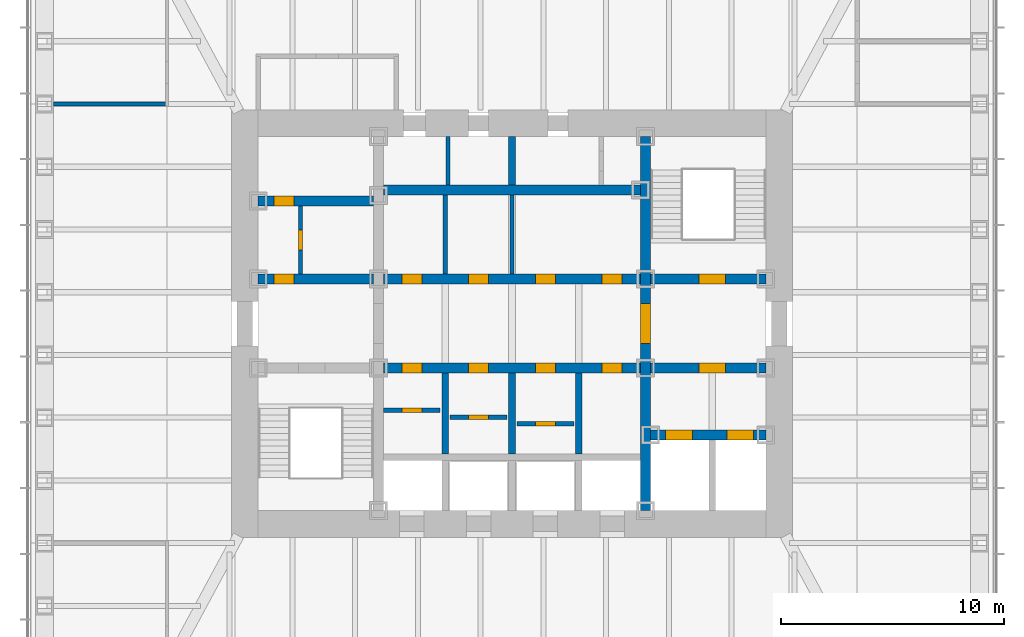
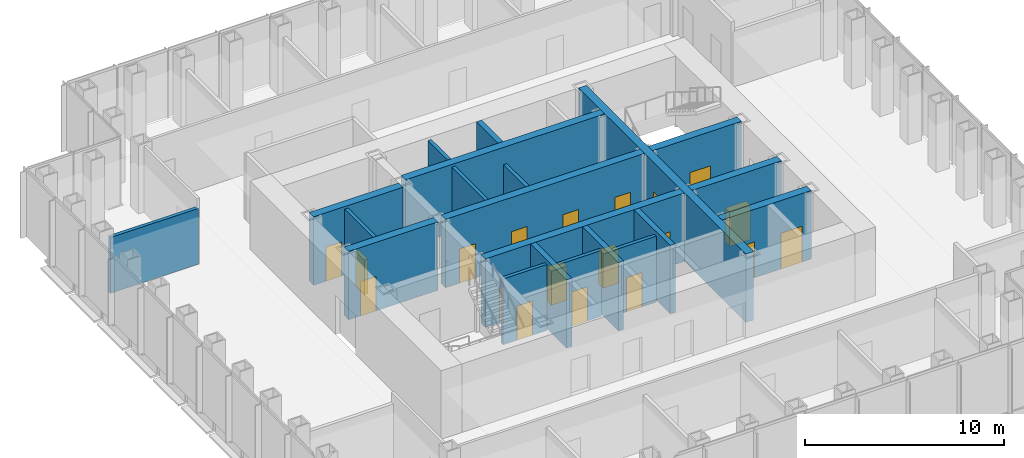
# One storey, part 9 of 16: 21 walls, 19 doors, 19 openings.
"""IFC4 building model written with IfcOpenShell, lengths in metres."""

import ifcopenshell
import ifcopenshell.guid

model = None  # the IFC model being written
_history = None  # IfcOwnerHistory: only IFC2X3 demands one
_inside = {}  # id of a spatial element -> (the spatial element, [elements in it])
_under = {}  # id of a project, library or spatial element -> (it, [spatial elements below it])
_declared = {}  # id of a project -> (the project, [libraries it declares])
_typed = {}  # id of a type object -> (the type object, [elements of that type])
_made_of = {}  # id of a material, layer set ... -> (it, [elements and type objects made of it])


def new_model(schema):
    """Start an empty IFC model of exactly this schema.

    Asked for "IFC4X3", IfcOpenShell would pick the latest addendum, in which some entities
    have other attributes; the version numbers below select the first issue.
    IFC2X3 requires an IfcOwnerHistory on every rooted entity: one is made here for all.
    """
    global model, _history
    if schema == "IFC4X3":
        model = ifcopenshell.file(schema_version=(4, 3, 0, 0))
    else:
        model = ifcopenshell.file(schema=schema)
    _inside.clear()
    _under.clear()
    _declared.clear()
    _typed.clear()
    _made_of.clear()
    _history = None
    if model.schema == "IFC2X3":
        org = make("IfcOrganization", Name="unknown")
        user = make(
            "IfcPersonAndOrganization",
            ThePerson=make("IfcPerson", FamilyName="unknown"),
            TheOrganization=org,
        )
        app = make(
            "IfcApplication",
            ApplicationDeveloper=org,
            Version="unknown",
            ApplicationFullName="unknown",
            ApplicationIdentifier="unknown",
        )
        _history = make(
            "IfcOwnerHistory",
            OwningUser=user,
            OwningApplication=app,
            ChangeAction="ADDED",
            CreationDate=0,
        )
    return model


def make(cls, **values):
    """One entity of the class cls with the attributes given. An attribute that is None is left unset."""
    return model.create_entity(
        cls, **{name: value for name, value in values.items() if value is not None}
    )


def rooted(cls, **values):
    """An entity with a GlobalId (a new one), such as an element, a storey or a relation."""
    return make(cls, GlobalId=ifcopenshell.guid.new(), OwnerHistory=_history, **values)


def si_unit(unit_type, name, prefix=None):
    """IfcSIUnit, for example si_unit("LENGTHUNIT", "METRE", prefix="MILLI")."""
    return make("IfcSIUnit", UnitType=unit_type, Prefix=prefix, Name=name)


def assignment(units):
    """IfcUnitAssignment: the units of a project."""
    return None if units is None else make("IfcUnitAssignment", Units=units)


def point(xyz):
    """IfcCartesianPoint."""
    return None if xyz is None else make("IfcCartesianPoint", Coordinates=xyz)


def direction(xyz):
    """IfcDirection."""
    return None if xyz is None else make("IfcDirection", DirectionRatios=xyz)


def frame(location, z_axis=None, x_axis=None):
    """IfcAxis2Placement3D, a coordinate frame: its origin and axes. An axis left out is left unset."""
    return make(
        "IfcAxis2Placement3D",
        Location=point(location),
        Axis=direction(z_axis),
        RefDirection=direction(x_axis),
    )


def frame_2d(location, x_axis=None):
    """IfcAxis2Placement2D, a coordinate frame in the plane: its origin and x axis."""
    return make(
        "IfcAxis2Placement2D", Location=point(location), RefDirection=direction(x_axis)
    )


def origin():
    """The frame at (0, 0, 0) with its axes left unset."""
    return frame((0.0, 0.0, 0.0))


def place(relative_to, where):
    """IfcLocalPlacement: puts the frame where relative to a parent placement (None: the world)."""
    return make(
        "IfcLocalPlacement", PlacementRelTo=relative_to, RelativePlacement=where
    )


def context(
    kind, dimensions, precision=None, world=None, true_north=None, identifier=None
):
    """IfcGeometricRepresentationContext, for example the 3D "Model" context."""
    return make(
        "IfcGeometricRepresentationContext",
        ContextIdentifier=identifier,
        ContextType=kind,
        CoordinateSpaceDimension=dimensions,
        Precision=precision,
        WorldCoordinateSystem=world,
        TrueNorth=true_north,
    )


def subcontext(parent, identifier, kind, view, scale=None):
    """IfcGeometricRepresentationSubContext, for example "Body" below "Model"."""
    return make(
        "IfcGeometricRepresentationSubContext",
        ContextIdentifier=identifier,
        ContextType=kind,
        ParentContext=parent,
        TargetScale=scale,
        TargetView=view,
    )


def project(units=None, contexts=None):
    """IfcProject with its units and contexts."""
    return rooted(
        "IfcProject",
        Name="project",
        RepresentationContexts=contexts,
        UnitsInContext=assignment(units),
    )


def spatial(cls, under=None, at=None, **own):
    """A site, building, storey or space (cls), placed at a placement, below another one or the project."""
    s = rooted(cls, ObjectPlacement=at, **own)
    if under is not None:
        _under.setdefault(under.id(), (under, []))[1].append(s)
    return s


def profile(cls, at=None, kind="AREA", **sizes):
    """A parametric profile (cls). Its sizes go by their IFC names, for example OverallWidth=200.0."""
    return make(cls, ProfileType=kind, Position=at, **sizes)


def rectangle(**sizes):
    """IfcRectangleProfileDef."""
    return profile("IfcRectangleProfileDef", **sizes)


def extrude(swept, where, along, depth):
    """IfcExtrudedAreaSolid: the profile swept, set in the frame where, extruded along a direction by depth."""
    return make(
        "IfcExtrudedAreaSolid",
        SweptArea=swept,
        Position=where,
        ExtrudedDirection=direction(along),
        Depth=depth,
    )


def shape(context_of_items, identifier, shape_type, items):
    """IfcShapeRepresentation: the items that make up one representation, for example the "Body"."""
    return make(
        "IfcShapeRepresentation",
        ContextOfItems=context_of_items,
        RepresentationIdentifier=identifier,
        RepresentationType=shape_type,
        Items=items,
    )


def material(Name=None, Category=None):
    """IfcMaterial."""
    return make("IfcMaterial", Name=Name, Category=Category)


def layer(
    of_material, thickness, ventilated=None, Name=None, Category=None, Priority=None
):
    """IfcMaterialLayer: one layer of a wall or slab, of a material (None: an air gap)."""
    return make(
        "IfcMaterialLayer",
        Material=of_material,
        LayerThickness=thickness,
        IsVentilated=ventilated,
        Name=Name,
        Category=Category,
        Priority=Priority,
    )


def layer_set(layers, Name=None):
    """IfcMaterialLayerSet."""
    return make("IfcMaterialLayerSet", MaterialLayers=layers, LayerSetName=Name)


def made_of(thing, what):
    """Note that an element or type object is made of a material, layer set ...; save() writes the relation."""
    if what is not None:
        _made_of.setdefault(what.id(), (what, []))[1].append(thing)
    return thing


def type_object(cls, material=None, **own):
    """A type object (cls), such as IfcWallType, which elements share."""
    return made_of(rooted(cls, **own), material)


def element(
    cls,
    number,
    at=None,
    inside=None,
    cuts=None,
    type_object=None,
    material=None,
    context=None,
    identifier="Body",
    shape_type=None,
    held_by="IfcProductDefinitionShape",
    body=None,
    shapes=None,
    **own,
):
    """One element of the class cls, such as IfcWall. Its Tag is "e" and its number.

    at: its placement. inside: the storey or other place that contains it. cuts: it is an
    opening in that element (IfcRelVoidsElement). A single representation is given by context,
    identifier, shape_type and body (its items); several are given by shapes. held_by: the class
    of the entity that holds the representations. save() writes the other relations.
    """
    e = rooted(cls, Tag="e%d" % number, ObjectPlacement=at, **own)
    if body is not None:
        shapes = [shape(context, identifier, shape_type, body)]
    if shapes is not None:
        e.Representation = make(held_by, Representations=shapes)
    if inside is not None:
        _inside.setdefault(inside.id(), (inside, []))[1].append(e)
    if cuts is not None:
        rooted(
            "IfcRelVoidsElement", RelatingBuildingElement=cuts, RelatedOpeningElement=e
        )
    if type_object is not None:
        _typed.setdefault(type_object.id(), (type_object, []))[1].append(e)
    return made_of(e, material)


def fill(opening, filler):
    """IfcRelFillsElement: the door or window that sits in an opening."""
    return rooted(
        "IfcRelFillsElement",
        RelatingOpeningElement=opening,
        RelatedBuildingElement=filler,
    )


def aggregate(whole, parts):
    """IfcRelAggregates: a whole, such as a stair, and the parts it consists of."""
    return rooted("IfcRelAggregates", RelatingObject=whole, RelatedObjects=parts)


def save(model, path):
    """Write the relations noted so far, then the file.

    IfcRelAggregates (storeys below a building ...), IfcRelContainedInSpatialStructure (elements
    in a storey), IfcRelDefinesByType, IfcRelAssociatesMaterial and IfcRelDeclares: one each for
    every whole, place, type object, material and project.
    """
    for whole, parts in _under.values():
        aggregate(whole, parts)
    for where, things in _inside.values():
        rooted(
            "IfcRelContainedInSpatialStructure",
            RelatedElements=things,
            RelatingStructure=where,
        )
    for kind, things in _typed.values():
        rooted("IfcRelDefinesByType", RelatedObjects=things, RelatingType=kind)
    for what, things in _made_of.values():
        rooted("IfcRelAssociatesMaterial", RelatedObjects=things, RelatingMaterial=what)
    for by, libraries in _declared.values():
        rooted("IfcRelDeclares", RelatingContext=by, RelatedDefinitions=libraries)
    model.write(path)


model = new_model("IFC4")

# Units and contexts
model_context = context("Model", 3, precision=1e-05, world=origin(), true_north=direction((0.0, 1.0)))
body_context = subcontext(model_context, "Body", "Model", "MODEL_VIEW")
ifc_project = project(units=[si_unit("LENGTHUNIT", "METRE"), si_unit("AREAUNIT", "SQUARE_METRE"), si_unit("VOLUMEUNIT", "CUBIC_METRE"), si_unit("PLANEANGLEUNIT", "RADIAN"), si_unit("MASSUNIT", "GRAM", prefix="KILO")], contexts=[model_context])

# Site, building, storey
site_placement = place(None, origin())
site = spatial("IfcSite", under=ifc_project, at=site_placement, CompositionType="ELEMENT")
building_placement = place(site_placement, origin())
building = spatial("IfcBuilding", under=site, at=building_placement, Name="Daluyong Arena Tower", CompositionType="ELEMENT")
storey_placement = place(building_placement, frame((0.0, 0.0, 227.5)))
storey = spatial("IfcBuildingStorey", under=building, at=storey_placement, Name="L51", CompositionType="ELEMENT", Elevation=227.5)

# Wall, opening, door
ifc_material_1 = material(Name="Concrete fc' 45 MPa", Category="concrete")
ifc_layer_1 = layer(ifc_material_1, 0.449951171875)
ifc_layer_set_1 = layer_set([ifc_layer_1], Name="Concrete fc' 45 MPa")
wall_type_1 = type_object("IfcWallType", Name="Core inner wall 450", PredefinedType="SHEAR", material=ifc_layer_set_1)
wall_1_placement = place(storey_placement, frame((62.0, 71.60009765625, 0.0), z_axis=(0.0, 0.0, 1.0), x_axis=(0.0, 1.0, 0.0)))
wall_1 = element("IfcWall", 1, at=wall_1_placement, inside=storey, type_object=wall_type_1, Name="core inner wall at L51", PredefinedType="SHEAR", context=body_context, shape_type="SweptSolid", body=[
    extrude(rectangle(XDim=16.7998046875, YDim=0.449951171875, at=frame_2d((8.39990234375, 0.0))), origin(), (0.0, 0.0, 1.0), 4.199951171875),
])
opening_1_placement = place(wall_1_placement, frame((7.5, 0.0, 0.0)))
opening_1 = element("IfcOpeningElement", 2, at=opening_1_placement, cuts=wall_1, Name="Opening 51024", PredefinedType="OPENING", context=body_context, shape_type="SweptSolid", body=[
    extrude(rectangle(XDim=1.800048828125, YDim=2.39990234375, at=frame_2d((0.89990234375, 1.199951171875))), frame((0.0, 0.23486328125, 0.0), z_axis=(0.0, -1.0, 0.0), x_axis=(1.0, 0.0, 0.0)), (0.0, 0.0, 1.0), 0.469970703125),
])
ifc_material_2 = material(Name="Steel door, fire rated", Category="steel")
door_type_1 = type_object("IfcDoorType", Name="Lift lobby opening door 1800", OperationType="DOUBLE_DOOR_SINGLE_SWING", PredefinedType="DOOR", material=ifc_material_2)
door_1_placement = place(opening_1_placement, origin())
door_1 = element("IfcDoor", 3, at=door_1_placement, inside=storey, type_object=door_type_1, Name="lift lobby door east 51024", OperationType="DOUBLE_DOOR_SINGLE_SWING", OverallHeight=2.39990234375, OverallWidth=1.800048828125, PredefinedType="DOOR", context=body_context, shape_type="SweptSolid", body=[
    extrude(rectangle(XDim=1.800048828125, YDim=2.39990234375, at=frame_2d((0.89990234375, 1.199951171875))), frame((0.0, 0.224609375, 0.0), z_axis=(0.0, -1.0, 0.0), x_axis=(1.0, 0.0, 0.0)), (0.0, 0.0, 1.0), 0.449462890625),
])
fill(opening_1, door_1)

wall_2_placement = place(storey_placement, frame((44.60009765625, 82.0, 0.0), z_axis=(0.0, 0.0, 1.0), x_axis=(1.0, 0.0, 0.0)))
wall_2 = element("IfcWall", 4, at=wall_2_placement, inside=storey, type_object=wall_type_1, Name="core inner wall at L51", PredefinedType="SHEAR", context=body_context, shape_type="SweptSolid", body=[
    extrude(rectangle(XDim=5.1748046875, YDim=0.449951171875, at=frame_2d((2.58740234375, 0.0))), origin(), (0.0, 0.0, 1.0), 4.199951171875),
])
opening_2_placement = place(wall_2_placement, frame((0.699951171875, 0.0, 0.0)))
opening_2 = element("IfcOpeningElement", 5, at=opening_2_placement, cuts=wall_2, Name="Opening 51001", PredefinedType="OPENING", context=body_context, shape_type="SweptSolid", body=[
    extrude(rectangle(XDim=0.89990234375, YDim=2.10009765625, at=frame_2d((0.449951171875, 1.050048828125))), frame((0.0, 0.23486328125, 0.0), z_axis=(0.0, -1.0, 0.0), x_axis=(1.0, 0.0, 0.0)), (0.0, 0.0, 1.0), 0.469970703125),
])
ifc_material_3 = material(Name="Steel door, fire rated", Category="steel")
door_type_2 = type_object("IfcDoorType", Name="Core room door 900", OperationType="SINGLE_SWING_LEFT", PredefinedType="DOOR", material=ifc_material_3)
door_2_placement = place(opening_2_placement, origin())
door_2 = element("IfcDoor", 6, at=door_2_placement, inside=storey, type_object=door_type_2, Name="toilet lobby door 51001", OperationType="SINGLE_SWING_LEFT", OverallHeight=2.10009765625, OverallWidth=0.89990234375, PredefinedType="DOOR", context=body_context, shape_type="SweptSolid", body=[
    extrude(rectangle(XDim=0.89990234375, YDim=2.10009765625, at=frame_2d((0.449951171875, 1.050048828125))), frame((0.0, 0.224609375, 0.0), z_axis=(0.0, -1.0, 0.0), x_axis=(1.0, 0.0, 0.0)), (0.0, 0.0, 1.0), 0.449462890625),
])
fill(opening_2, door_2)

wall_3_placement = place(storey_placement, frame((44.60009765625, 85.5, 0.0), z_axis=(0.0, 0.0, 1.0), x_axis=(1.0, 0.0, 0.0)))
wall_3 = element("IfcWall", 7, at=wall_3_placement, inside=storey, type_object=wall_type_1, Name="core inner wall at L51", PredefinedType="SHEAR", context=body_context, shape_type="SweptSolid", body=[
    extrude(rectangle(XDim=5.1748046875, YDim=0.449951171875, at=frame_2d((2.58740234375, 0.0))), origin(), (0.0, 0.0, 1.0), 4.199951171875),
])
opening_3_placement = place(wall_3_placement, frame((0.699951171875, 0.0, 0.0)))
opening_3 = element("IfcOpeningElement", 8, at=opening_3_placement, cuts=wall_3, Name="Opening 51003", PredefinedType="OPENING", context=body_context, shape_type="SweptSolid", body=[
    extrude(rectangle(XDim=0.89990234375, YDim=2.10009765625, at=frame_2d((0.449951171875, 1.050048828125))), frame((0.0, 0.23486328125, 0.0), z_axis=(0.0, -1.0, 0.0), x_axis=(1.0, 0.0, 0.0)), (0.0, 0.0, 1.0), 0.469970703125),
])
ifc_material_4 = material(Name="Timber door", Category="wood")
door_type_3 = type_object("IfcDoorType", Name="Toilet door 900", OperationType="SINGLE_SWING_RIGHT", PredefinedType="DOOR", material=ifc_material_4)
door_3_placement = place(opening_3_placement, origin())
door_3 = element("IfcDoor", 9, at=door_3_placement, inside=storey, type_object=door_type_3, Name="female toilet door 51003", OperationType="SINGLE_SWING_RIGHT", OverallHeight=2.10009765625, OverallWidth=0.89990234375, PredefinedType="DOOR", context=body_context, shape_type="SweptSolid", body=[
    extrude(rectangle(XDim=0.89990234375, YDim=2.10009765625, at=frame_2d((0.449951171875, 1.050048828125))), frame((0.0, 0.224609375, 0.0), z_axis=(0.0, -1.0, 0.0), x_axis=(1.0, 0.0, 0.0)), (0.0, 0.0, 1.0), 0.449462890625),
])
fill(opening_3, door_3)

# Wall, openings, doors
wall_4_placement = place(storey_placement, frame((62.22509765625, 75.0, 0.0), z_axis=(0.0, 0.0, 1.0), x_axis=(1.0, 0.0, 0.0)))
wall_4 = element("IfcWall", 10, at=wall_4_placement, inside=storey, type_object=wall_type_1, Name="core inner wall at L51", PredefinedType="SHEAR", context=body_context, shape_type="SweptSolid", body=[
    extrude(rectangle(XDim=5.1748046875, YDim=0.449951171875, at=frame_2d((2.58740234375, 0.0))), origin(), (0.0, 0.0, 1.0), 4.199951171875),
])
opening_4_placement = place(wall_4_placement, frame((0.675048828125, 0.0, 0.0)))
opening_4 = element("IfcOpeningElement", 11, at=opening_4_placement, cuts=wall_4, Name="Opening 51030", PredefinedType="OPENING", context=body_context, shape_type="SweptSolid", body=[
    extrude(rectangle(XDim=1.199951171875, YDim=2.199951171875, at=frame_2d((0.60009765625, 1.10009765625))), frame((0.0, 0.23486328125, 0.0), z_axis=(0.0, -1.0, 0.0), x_axis=(1.0, 0.0, 0.0)), (0.0, 0.0, 1.0), 0.469970703125),
])
opening_5_placement = place(wall_4_placement, frame((3.425048828125, 0.0, 0.0)))
opening_5 = element("IfcOpeningElement", 12, at=opening_5_placement, cuts=wall_4, Name="Opening 51031", PredefinedType="OPENING", context=body_context, shape_type="SweptSolid", body=[
    extrude(rectangle(XDim=1.199951171875, YDim=2.199951171875, at=frame_2d((0.60009765625, 1.10009765625))), frame((0.0, 0.23486328125, 0.0), z_axis=(0.0, -1.0, 0.0), x_axis=(1.0, 0.0, 0.0)), (0.0, 0.0, 1.0), 0.469970703125),
])
ifc_material_5 = material(Name="Steel door, fire rated", Category="steel")
door_type_4 = type_object("IfcDoorType", Name="Firefighting lift landing door 1200", OperationType="SLIDING_TO_LEFT", PredefinedType="DOOR", material=ifc_material_5)
door_4_placement = place(opening_4_placement, origin())
door_4 = element("IfcDoor", 13, at=door_4_placement, inside=storey, type_object=door_type_4, Name="firefighting lift landing door F1 51030", OperationType="SLIDING_TO_LEFT", OverallHeight=2.199951171875, OverallWidth=1.199951171875, PredefinedType="DOOR", context=body_context, shape_type="SweptSolid", body=[
    extrude(rectangle(XDim=1.199951171875, YDim=2.199951171875, at=frame_2d((0.60009765625, 1.10009765625))), frame((0.0, 0.224609375, 0.0), z_axis=(0.0, -1.0, 0.0), x_axis=(1.0, 0.0, 0.0)), (0.0, 0.0, 1.0), 0.449462890625),
])
fill(opening_4, door_4)
door_5_placement = place(opening_5_placement, origin())
door_5 = element("IfcDoor", 14, at=door_5_placement, inside=storey, type_object=door_type_4, Name="firefighting lift landing door F2 51031", OperationType="SLIDING_TO_LEFT", OverallHeight=2.199951171875, OverallWidth=1.199951171875, PredefinedType="DOOR", context=body_context, shape_type="SweptSolid", body=[
    extrude(rectangle(XDim=1.199951171875, YDim=2.199951171875, at=frame_2d((0.60009765625, 1.10009765625))), frame((0.0, 0.224609375, 0.0), z_axis=(0.0, -1.0, 0.0), x_axis=(1.0, 0.0, 0.0)), (0.0, 0.0, 1.0), 0.449462890625),
])
fill(opening_5, door_5)

# Wall, opening, door
wall_5_placement = place(storey_placement, frame((62.22509765625, 78.0, 0.0), z_axis=(0.0, 0.0, 1.0), x_axis=(1.0, 0.0, 0.0)))
wall_5 = element("IfcWall", 15, at=wall_5_placement, inside=storey, type_object=wall_type_1, Name="core inner wall at L51", PredefinedType="SHEAR", context=body_context, shape_type="SweptSolid", body=[
    extrude(rectangle(XDim=5.1748046875, YDim=0.449951171875, at=frame_2d((2.58740234375, 0.0))), origin(), (0.0, 0.0, 1.0), 4.199951171875),
])
opening_6_placement = place(wall_5_placement, frame((2.175048828125, 0.0, 0.0)))
opening_6 = element("IfcOpeningElement", 16, at=opening_6_placement, cuts=wall_5, Name="Opening 51025", PredefinedType="OPENING", context=body_context, shape_type="SweptSolid", body=[
    extrude(rectangle(XDim=1.199951171875, YDim=2.10009765625, at=frame_2d((0.60009765625, 1.050048828125))), frame((0.0, 0.23486328125, 0.0), z_axis=(0.0, -1.0, 0.0), x_axis=(1.0, 0.0, 0.0)), (0.0, 0.0, 1.0), 0.469970703125),
])
ifc_material_6 = material(Name="Steel door, fire rated", Category="steel")
door_type_5 = type_object("IfcDoorType", Name="Firefighting lobby door 1200", OperationType="SINGLE_SWING_RIGHT", PredefinedType="DOOR", material=ifc_material_6)
door_6_placement = place(opening_6_placement, origin())
door_6 = element("IfcDoor", 17, at=door_6_placement, inside=storey, type_object=door_type_5, Name="firefighting lobby door 51025", OperationType="SINGLE_SWING_RIGHT", OverallHeight=2.10009765625, OverallWidth=1.199951171875, PredefinedType="DOOR", context=body_context, shape_type="SweptSolid", body=[
    extrude(rectangle(XDim=1.199951171875, YDim=2.10009765625, at=frame_2d((0.60009765625, 1.050048828125))), frame((0.0, 0.224609375, 0.0), z_axis=(0.0, -1.0, 0.0), x_axis=(1.0, 0.0, 0.0)), (0.0, 0.0, 1.0), 0.449462890625),
])
fill(opening_6, door_6)

wall_6_placement = place(storey_placement, frame((62.22509765625, 82.0, 0.0), z_axis=(0.0, 0.0, 1.0), x_axis=(1.0, 0.0, 0.0)))
wall_6 = element("IfcWall", 18, at=wall_6_placement, inside=storey, type_object=wall_type_1, Name="core inner wall at L51", PredefinedType="SHEAR", context=body_context, shape_type="SweptSolid", body=[
    extrude(rectangle(XDim=5.1748046875, YDim=0.449951171875, at=frame_2d((2.58740234375, 0.0))), origin(), (0.0, 0.0, 1.0), 4.199951171875),
])
opening_7_placement = place(wall_6_placement, frame((2.175048828125, 0.0, 0.0)))
opening_7 = element("IfcOpeningElement", 19, at=opening_7_placement, cuts=wall_6, Name="Opening 51020", PredefinedType="OPENING", context=body_context, shape_type="SweptSolid", body=[
    extrude(rectangle(XDim=1.199951171875, YDim=2.10009765625, at=frame_2d((0.60009765625, 1.050048828125))), frame((0.0, 0.23486328125, 0.0), z_axis=(0.0, -1.0, 0.0), x_axis=(1.0, 0.0, 0.0)), (0.0, 0.0, 1.0), 0.469970703125),
])
ifc_material_7 = material(Name="Steel door, fire rated", Category="steel")
door_type_6 = type_object("IfcDoorType", Name="Stair door 1200", OperationType="SINGLE_SWING_LEFT", PredefinedType="DOOR", material=ifc_material_7)
door_7_placement = place(opening_7_placement, origin())
door_7 = element("IfcDoor", 20, at=door_7_placement, inside=storey, type_object=door_type_6, Name="stair B door 51020", OperationType="SINGLE_SWING_LEFT", OverallHeight=2.10009765625, OverallWidth=1.199951171875, PredefinedType="DOOR", context=body_context, shape_type="SweptSolid", body=[
    extrude(rectangle(XDim=1.199951171875, YDim=2.10009765625, at=frame_2d((0.60009765625, 1.050048828125))), frame((0.0, 0.224609375, 0.0), z_axis=(0.0, -1.0, 0.0), x_axis=(1.0, 0.0, 0.0)), (0.0, 0.0, 1.0), 0.449462890625),
])
fill(opening_7, door_7)

# Wall, openings, doors
wall_7_placement = place(storey_placement, frame((50.22509765625, 78.0, 0.0), z_axis=(0.0, 0.0, 1.0), x_axis=(1.0, 0.0, 0.0)))
wall_7 = element("IfcWall", 21, at=wall_7_placement, inside=storey, type_object=wall_type_1, Name="core inner wall at L51", PredefinedType="SHEAR", context=body_context, shape_type="SweptSolid", body=[
    extrude(rectangle(XDim=11.5498046875, YDim=0.449951171875, at=frame_2d((5.77490234375, 0.0))), origin(), (0.0, 0.0, 1.0), 4.199951171875),
])
opening_8_placement = place(wall_7_placement, frame((0.824951171875, 0.0, 0.0)))
opening_8 = element("IfcOpeningElement", 22, at=opening_8_placement, cuts=wall_7, Name="Opening 51008", PredefinedType="OPENING", context=body_context, shape_type="SweptSolid", body=[
    extrude(rectangle(XDim=0.89990234375, YDim=2.10009765625, at=frame_2d((0.449951171875, 1.050048828125))), frame((0.0, 0.23486328125, 0.0), z_axis=(0.0, -1.0, 0.0), x_axis=(1.0, 0.0, 0.0)), (0.0, 0.0, 1.0), 0.469970703125),
])
opening_9_placement = place(wall_7_placement, frame((3.824951171875, 0.0, 0.0)))
opening_9 = element("IfcOpeningElement", 23, at=opening_9_placement, cuts=wall_7, Name="Opening 51010", PredefinedType="OPENING", context=body_context, shape_type="SweptSolid", body=[
    extrude(rectangle(XDim=0.89990234375, YDim=2.10009765625, at=frame_2d((0.449951171875, 1.050048828125))), frame((0.0, 0.23486328125, 0.0), z_axis=(0.0, -1.0, 0.0), x_axis=(1.0, 0.0, 0.0)), (0.0, 0.0, 1.0), 0.469970703125),
])
opening_10_placement = place(wall_7_placement, frame((6.824951171875, 0.0, 0.0)))
opening_10 = element("IfcOpeningElement", 24, at=opening_10_placement, cuts=wall_7, Name="Opening 51012", PredefinedType="OPENING", context=body_context, shape_type="SweptSolid", body=[
    extrude(rectangle(XDim=0.89990234375, YDim=2.10009765625, at=frame_2d((0.449951171875, 1.050048828125))), frame((0.0, 0.23486328125, 0.0), z_axis=(0.0, -1.0, 0.0), x_axis=(1.0, 0.0, 0.0)), (0.0, 0.0, 1.0), 0.469970703125),
])
opening_11_placement = place(wall_7_placement, frame((9.824951171875, 0.0, 0.0)))
opening_11 = element("IfcOpeningElement", 25, at=opening_11_placement, cuts=wall_7, Name="Opening 51014", PredefinedType="OPENING", context=body_context, shape_type="SweptSolid", body=[
    extrude(rectangle(XDim=0.89990234375, YDim=2.10009765625, at=frame_2d((0.449951171875, 1.050048828125))), frame((0.0, 0.23486328125, 0.0), z_axis=(0.0, -1.0, 0.0), x_axis=(1.0, 0.0, 0.0)), (0.0, 0.0, 1.0), 0.469970703125),
])
ifc_material_8 = material(Name="Steel door, fire rated", Category="steel")
door_type_7 = type_object("IfcDoorType", Name="Core store door 900", OperationType="SINGLE_SWING_LEFT", PredefinedType="DOOR", material=ifc_material_8)
door_8_placement = place(opening_8_placement, origin())
door_8 = element("IfcDoor", 26, at=door_8_placement, inside=storey, type_object=door_type_7, Name="facilities store door 51008", OperationType="SINGLE_SWING_LEFT", OverallHeight=2.10009765625, OverallWidth=0.89990234375, PredefinedType="DOOR", context=body_context, shape_type="SweptSolid", body=[
    extrude(rectangle(XDim=0.89990234375, YDim=2.10009765625, at=frame_2d((0.449951171875, 1.050048828125))), frame((0.0, 0.224609375, 0.0), z_axis=(0.0, -1.0, 0.0), x_axis=(1.0, 0.0, 0.0)), (0.0, 0.0, 1.0), 0.449462890625),
])
fill(opening_8, door_8)
door_9_placement = place(opening_9_placement, origin())
door_9 = element("IfcDoor", 27, at=door_9_placement, inside=storey, type_object=door_type_7, Name="tenant store door 51010", OperationType="SINGLE_SWING_LEFT", OverallHeight=2.10009765625, OverallWidth=0.89990234375, PredefinedType="DOOR", context=body_context, shape_type="SweptSolid", body=[
    extrude(rectangle(XDim=0.89990234375, YDim=2.10009765625, at=frame_2d((0.449951171875, 1.050048828125))), frame((0.0, 0.224609375, 0.0), z_axis=(0.0, -1.0, 0.0), x_axis=(1.0, 0.0, 0.0)), (0.0, 0.0, 1.0), 0.449462890625),
])
fill(opening_9, door_9)
door_10_placement = place(opening_10_placement, origin())
door_10 = element("IfcDoor", 28, at=door_10_placement, inside=storey, type_object=door_type_7, Name="stationery store door 51012", OperationType="SINGLE_SWING_LEFT", OverallHeight=2.10009765625, OverallWidth=0.89990234375, PredefinedType="DOOR", context=body_context, shape_type="SweptSolid", body=[
    extrude(rectangle(XDim=0.89990234375, YDim=2.10009765625, at=frame_2d((0.449951171875, 1.050048828125))), frame((0.0, 0.224609375, 0.0), z_axis=(0.0, -1.0, 0.0), x_axis=(1.0, 0.0, 0.0)), (0.0, 0.0, 1.0), 0.449462890625),
])
fill(opening_10, door_10)
ifc_material_9 = material(Name="Steel door, fire rated", Category="steel")
door_type_8 = type_object("IfcDoorType", Name="Plant room door 900", OperationType="SINGLE_SWING_LEFT", PredefinedType="DOOR", material=ifc_material_9)
door_11_placement = place(opening_11_placement, origin())
door_11 = element("IfcDoor", 29, at=door_11_placement, inside=storey, type_object=door_type_8, Name="comms room door 51014", OperationType="SINGLE_SWING_LEFT", OverallHeight=2.10009765625, OverallWidth=0.89990234375, PredefinedType="DOOR", context=body_context, shape_type="SweptSolid", body=[
    extrude(rectangle(XDim=0.89990234375, YDim=2.10009765625, at=frame_2d((0.449951171875, 1.050048828125))), frame((0.0, 0.224609375, 0.0), z_axis=(0.0, -1.0, 0.0), x_axis=(1.0, 0.0, 0.0)), (0.0, 0.0, 1.0), 0.449462890625),
])
fill(opening_11, door_11)

wall_8_placement = place(storey_placement, frame((50.22509765625, 82.0, 0.0), z_axis=(0.0, 0.0, 1.0), x_axis=(1.0, 0.0, 0.0)))
wall_8 = element("IfcWall", 30, at=wall_8_placement, inside=storey, type_object=wall_type_1, Name="core inner wall at L51", PredefinedType="SHEAR", context=body_context, shape_type="SweptSolid", body=[
    extrude(rectangle(XDim=11.5498046875, YDim=0.449951171875, at=frame_2d((5.77490234375, 0.0))), origin(), (0.0, 0.0, 1.0), 4.199951171875),
])
opening_12_placement = place(wall_8_placement, frame((0.824951171875, 0.0, 0.0)))
opening_12 = element("IfcOpeningElement", 31, at=opening_12_placement, cuts=wall_8, Name="Opening 51015", PredefinedType="OPENING", context=body_context, shape_type="SweptSolid", body=[
    extrude(rectangle(XDim=0.89990234375, YDim=2.10009765625, at=frame_2d((0.449951171875, 1.050048828125))), frame((0.0, 0.23486328125, 0.0), z_axis=(0.0, -1.0, 0.0), x_axis=(1.0, 0.0, 0.0)), (0.0, 0.0, 1.0), 0.469970703125),
])
opening_13_placement = place(wall_8_placement, frame((3.824951171875, 0.0, 0.0)))
opening_13 = element("IfcOpeningElement", 32, at=opening_13_placement, cuts=wall_8, Name="Opening 51016", PredefinedType="OPENING", context=body_context, shape_type="SweptSolid", body=[
    extrude(rectangle(XDim=0.89990234375, YDim=2.10009765625, at=frame_2d((0.449951171875, 1.050048828125))), frame((0.0, 0.23486328125, 0.0), z_axis=(0.0, -1.0, 0.0), x_axis=(1.0, 0.0, 0.0)), (0.0, 0.0, 1.0), 0.469970703125),
])
opening_14_placement = place(wall_8_placement, frame((6.824951171875, 0.0, 0.0)))
opening_14 = element("IfcOpeningElement", 33, at=opening_14_placement, cuts=wall_8, Name="Opening 51017", PredefinedType="OPENING", context=body_context, shape_type="SweptSolid", body=[
    extrude(rectangle(XDim=0.89990234375, YDim=2.10009765625, at=frame_2d((0.449951171875, 1.050048828125))), frame((0.0, 0.23486328125, 0.0), z_axis=(0.0, -1.0, 0.0), x_axis=(1.0, 0.0, 0.0)), (0.0, 0.0, 1.0), 0.469970703125),
])
opening_15_placement = place(wall_8_placement, frame((9.824951171875, 0.0, 0.0)))
opening_15 = element("IfcOpeningElement", 34, at=opening_15_placement, cuts=wall_8, Name="Opening 51018", PredefinedType="OPENING", context=body_context, shape_type="SweptSolid", body=[
    extrude(rectangle(XDim=0.89990234375, YDim=2.10009765625, at=frame_2d((0.449951171875, 1.050048828125))), frame((0.0, 0.23486328125, 0.0), z_axis=(0.0, -1.0, 0.0), x_axis=(1.0, 0.0, 0.0)), (0.0, 0.0, 1.0), 0.469970703125),
])
door_12_placement = place(opening_12_placement, origin())
door_12 = element("IfcDoor", 35, at=door_12_placement, inside=storey, type_object=door_type_2, Name="vending room door 51015", OperationType="SINGLE_SWING_LEFT", OverallHeight=2.10009765625, OverallWidth=0.89990234375, PredefinedType="DOOR", context=body_context, shape_type="SweptSolid", body=[
    extrude(rectangle(XDim=0.89990234375, YDim=2.10009765625, at=frame_2d((0.449951171875, 1.050048828125))), frame((0.0, 0.224609375, 0.0), z_axis=(0.0, -1.0, 0.0), x_axis=(1.0, 0.0, 0.0)), (0.0, 0.0, 1.0), 0.449462890625),
])
fill(opening_12, door_12)
door_13_placement = place(opening_13_placement, origin())
door_13 = element("IfcDoor", 36, at=door_13_placement, inside=storey, type_object=door_type_2, Name="staff pantry door 51016", OperationType="SINGLE_SWING_LEFT", OverallHeight=2.10009765625, OverallWidth=0.89990234375, PredefinedType="DOOR", context=body_context, shape_type="SweptSolid", body=[
    extrude(rectangle(XDim=0.89990234375, YDim=2.10009765625, at=frame_2d((0.449951171875, 1.050048828125))), frame((0.0, 0.224609375, 0.0), z_axis=(0.0, -1.0, 0.0), x_axis=(1.0, 0.0, 0.0)), (0.0, 0.0, 1.0), 0.449462890625),
])
fill(opening_13, door_13)
door_14_placement = place(opening_14_placement, origin())
door_14 = element("IfcDoor", 37, at=door_14_placement, inside=storey, type_object=door_type_2, Name="tea point door 51017", OperationType="SINGLE_SWING_LEFT", OverallHeight=2.10009765625, OverallWidth=0.89990234375, PredefinedType="DOOR", context=body_context, shape_type="SweptSolid", body=[
    extrude(rectangle(XDim=0.89990234375, YDim=2.10009765625, at=frame_2d((0.449951171875, 1.050048828125))), frame((0.0, 0.224609375, 0.0), z_axis=(0.0, -1.0, 0.0), x_axis=(1.0, 0.0, 0.0)), (0.0, 0.0, 1.0), 0.449462890625),
])
fill(opening_14, door_14)
door_15_placement = place(opening_15_placement, origin())
door_15 = element("IfcDoor", 38, at=door_15_placement, inside=storey, type_object=door_type_2, Name="tea point door 51018", OperationType="SINGLE_SWING_LEFT", OverallHeight=2.10009765625, OverallWidth=0.89990234375, PredefinedType="DOOR", context=body_context, shape_type="SweptSolid", body=[
    extrude(rectangle(XDim=0.89990234375, YDim=2.10009765625, at=frame_2d((0.449951171875, 1.050048828125))), frame((0.0, 0.224609375, 0.0), z_axis=(0.0, -1.0, 0.0), x_axis=(1.0, 0.0, 0.0)), (0.0, 0.0, 1.0), 0.449462890625),
])
fill(opening_15, door_15)

# Wall
wall_9_placement = place(storey_placement, frame((50.22509765625, 86.0, 0.0), z_axis=(0.0, 0.0, 1.0), x_axis=(1.0, 0.0, 0.0)))
element("IfcWall", 39, at=wall_9_placement, inside=storey, type_object=wall_type_1, Name="core inner wall at L51", PredefinedType="SHEAR", context=body_context, shape_type="SweptSolid", body=[
    extrude(rectangle(XDim=11.5498046875, YDim=0.449951171875, at=frame_2d((5.77490234375, 0.0))), origin(), (0.0, 0.0, 1.0), 4.199951171875),
])

# Wall, opening, door
ifc_material_10 = material(Name="Concrete block partition, fire rated", Category="concrete")
ifc_layer_2 = layer(ifc_material_10, 0.199951171875)
ifc_layer_set_2 = layer_set([ifc_layer_2], Name="Concrete block partition, fire rated")
wall_type_2 = type_object("IfcWallType", Name="Fire-rated partition 200", PredefinedType="PARTITIONING", material=ifc_layer_set_2)
wall_10_placement = place(storey_placement, frame((46.5, 82.22509765625, 0.0), z_axis=(0.0, 0.0, 1.0), x_axis=(0.0, 1.0, 0.0)))
wall_10 = element("IfcWall", 40, at=wall_10_placement, inside=storey, type_object=wall_type_2, Name="toilet lobby partition at L51", PredefinedType="PARTITIONING", context=body_context, shape_type="SweptSolid", body=[
    extrude(rectangle(XDim=3.0498046875, YDim=0.199951171875, at=frame_2d((1.52490234375, 0.0))), origin(), (0.0, 0.0, 1.0), 4.0400390625),
])
opening_16_placement = place(wall_10_placement, frame((1.074951171875, 0.0, 0.0)))
opening_16 = element("IfcOpeningElement", 41, at=opening_16_placement, cuts=wall_10, Name="Opening 51002", PredefinedType="OPENING", context=body_context, shape_type="SweptSolid", body=[
    extrude(rectangle(XDim=0.89990234375, YDim=2.10009765625, at=frame_2d((0.449951171875, 1.050048828125))), frame((0.0, 0.10986328125, 0.0), z_axis=(0.0, -1.0, 0.0), x_axis=(1.0, 0.0, 0.0)), (0.0, 0.0, 1.0), 0.219970703125),
])
door_16_placement = place(opening_16_placement, origin())
door_16 = element("IfcDoor", 42, at=door_16_placement, inside=storey, type_object=door_type_3, Name="male toilet door 51002", OperationType="SINGLE_SWING_RIGHT", OverallHeight=2.10009765625, OverallWidth=0.89990234375, PredefinedType="DOOR", context=body_context, shape_type="SweptSolid", body=[
    extrude(rectangle(XDim=0.89990234375, YDim=2.10009765625, at=frame_2d((0.449951171875, 1.050048828125))), frame((0.0, 0.099609375, 0.0), z_axis=(0.0, -1.0, 0.0), x_axis=(1.0, 0.0, 0.0)), (0.0, 0.0, 1.0), 0.199462890625),
])
fill(opening_16, door_16)

# Wall
wall_11_placement = place(storey_placement, frame((53.125, 86.22509765625, 0.0), z_axis=(0.0, 0.0, 1.0), x_axis=(0.0, 1.0, 0.0)))
element("IfcWall", 43, at=wall_11_placement, inside=storey, type_object=wall_type_2, Name="core room partition at L51", PredefinedType="PARTITIONING", context=body_context, shape_type="SweptSolid", body=[
    extrude(rectangle(XDim=2.1748046875, YDim=0.199951171875, at=frame_2d((1.08740234375, 0.0))), origin(), (0.0, 0.0, 1.0), 4.0400390625),
])

# Wall, opening, door
wall_12_placement = place(storey_placement, frame((50.22509765625, 76.10009765625, 0.0), z_axis=(0.0, 0.0, 1.0), x_axis=(1.0, 0.0, 0.0)))
wall_12 = element("IfcWall", 44, at=wall_12_placement, inside=storey, type_object=wall_type_2, Name="back store partition at L51", PredefinedType="PARTITIONING", context=body_context, shape_type="SweptSolid", body=[
    extrude(rectangle(XDim=2.5498046875, YDim=0.199951171875, at=frame_2d((1.27490234375, 0.0))), origin(), (0.0, 0.0, 1.0), 4.0400390625),
])
opening_17_placement = place(wall_12_placement, frame((0.824951171875, 0.0, 0.0)))
opening_17 = element("IfcOpeningElement", 45, at=opening_17_placement, cuts=wall_12, Name="Opening 51009", PredefinedType="OPENING", context=body_context, shape_type="SweptSolid", body=[
    extrude(rectangle(XDim=0.89990234375, YDim=2.10009765625, at=frame_2d((0.449951171875, 1.050048828125))), frame((0.0, 0.10986328125, 0.0), z_axis=(0.0, -1.0, 0.0), x_axis=(1.0, 0.0, 0.0)), (0.0, 0.0, 1.0), 0.219970703125),
])
door_17_placement = place(opening_17_placement, origin())
door_17 = element("IfcDoor", 46, at=door_17_placement, inside=storey, type_object=door_type_7, Name="security store door 51009", OperationType="SINGLE_SWING_LEFT", OverallHeight=2.10009765625, OverallWidth=0.89990234375, PredefinedType="DOOR", context=body_context, shape_type="SweptSolid", body=[
    extrude(rectangle(XDim=0.89990234375, YDim=2.10009765625, at=frame_2d((0.449951171875, 1.050048828125))), frame((0.0, 0.099609375, 0.0), z_axis=(0.0, -1.0, 0.0), x_axis=(1.0, 0.0, 0.0)), (0.0, 0.0, 1.0), 0.199462890625),
])
fill(opening_17, door_17)

wall_13_placement = place(storey_placement, frame((53.22509765625, 75.800048828125, 0.0), z_axis=(0.0, 0.0, 1.0), x_axis=(1.0, 0.0, 0.0)))
wall_13 = element("IfcWall", 47, at=wall_13_placement, inside=storey, type_object=wall_type_2, Name="back store partition at L51", PredefinedType="PARTITIONING", context=body_context, shape_type="SweptSolid", body=[
    extrude(rectangle(XDim=2.5498046875, YDim=0.199951171875, at=frame_2d((1.27490234375, 0.0))), origin(), (0.0, 0.0, 1.0), 4.0400390625),
])
opening_18_placement = place(wall_13_placement, frame((0.824951171875, 0.0, 0.0)))
opening_18 = element("IfcOpeningElement", 48, at=opening_18_placement, cuts=wall_13, Name="Opening 51011", PredefinedType="OPENING", context=body_context, shape_type="SweptSolid", body=[
    extrude(rectangle(XDim=0.89990234375, YDim=2.10009765625, at=frame_2d((0.449951171875, 1.050048828125))), frame((0.0, 0.10986328125, 0.0), z_axis=(0.0, -1.0, 0.0), x_axis=(1.0, 0.0, 0.0)), (0.0, 0.0, 1.0), 0.219970703125),
])
door_18_placement = place(opening_18_placement, origin())
door_18 = element("IfcDoor", 49, at=door_18_placement, inside=storey, type_object=door_type_7, Name="furniture store door 51011", OperationType="SINGLE_SWING_LEFT", OverallHeight=2.10009765625, OverallWidth=0.89990234375, PredefinedType="DOOR", context=body_context, shape_type="SweptSolid", body=[
    extrude(rectangle(XDim=0.89990234375, YDim=2.10009765625, at=frame_2d((0.449951171875, 1.050048828125))), frame((0.0, 0.099609375, 0.0), z_axis=(0.0, -1.0, 0.0), x_axis=(1.0, 0.0, 0.0)), (0.0, 0.0, 1.0), 0.199462890625),
])
fill(opening_18, door_18)

wall_14_placement = place(storey_placement, frame((56.22509765625, 75.5, 0.0), z_axis=(0.0, 0.0, 1.0), x_axis=(1.0, 0.0, 0.0)))
wall_14 = element("IfcWall", 50, at=wall_14_placement, inside=storey, type_object=wall_type_2, Name="back store partition at L51", PredefinedType="PARTITIONING", context=body_context, shape_type="SweptSolid", body=[
    extrude(rectangle(XDim=2.5498046875, YDim=0.199951171875, at=frame_2d((1.27490234375, 0.0))), origin(), (0.0, 0.0, 1.0), 4.0400390625),
])
opening_19_placement = place(wall_14_placement, frame((0.824951171875, 0.0, 0.0)))
opening_19 = element("IfcOpeningElement", 51, at=opening_19_placement, cuts=wall_14, Name="Opening 51013", PredefinedType="OPENING", context=body_context, shape_type="SweptSolid", body=[
    extrude(rectangle(XDim=0.89990234375, YDim=2.10009765625, at=frame_2d((0.449951171875, 1.050048828125))), frame((0.0, 0.10986328125, 0.0), z_axis=(0.0, -1.0, 0.0), x_axis=(1.0, 0.0, 0.0)), (0.0, 0.0, 1.0), 0.219970703125),
])
door_19_placement = place(opening_19_placement, origin())
door_19 = element("IfcDoor", 52, at=door_19_placement, inside=storey, type_object=door_type_7, Name="archive store door 51013", OperationType="SINGLE_SWING_LEFT", OverallHeight=2.10009765625, OverallWidth=0.89990234375, PredefinedType="DOOR", context=body_context, shape_type="SweptSolid", body=[
    extrude(rectangle(XDim=0.89990234375, YDim=2.10009765625, at=frame_2d((0.449951171875, 1.050048828125))), frame((0.0, 0.099609375, 0.0), z_axis=(0.0, -1.0, 0.0), x_axis=(1.0, 0.0, 0.0)), (0.0, 0.0, 1.0), 0.199462890625),
])
fill(opening_19, door_19)

# Walls
wall_15_placement = place(storey_placement, frame((53.0, 82.22509765625, 0.0), z_axis=(0.0, 0.0, 1.0), x_axis=(0.0, 1.0, 0.0)))
element("IfcWall", 53, at=wall_15_placement, inside=storey, type_object=wall_type_2, Name="core room partition at L51", PredefinedType="PARTITIONING", context=body_context, shape_type="SweptSolid", body=[
    extrude(rectangle(XDim=3.5498046875, YDim=0.199951171875, at=frame_2d((1.77490234375, 0.0))), origin(), (0.0, 0.0, 1.0), 4.0400390625),
])
wall_16_placement = place(storey_placement, frame((56.0, 82.22509765625, 0.0), z_axis=(0.0, 0.0, 1.0), x_axis=(0.0, 1.0, 0.0)))
element("IfcWall", 54, at=wall_16_placement, inside=storey, type_object=wall_type_2, Name="core room partition at L51", PredefinedType="PARTITIONING", context=body_context, shape_type="SweptSolid", body=[
    extrude(rectangle(XDim=3.5498046875, YDim=0.199951171875, at=frame_2d((1.77490234375, 0.0))), origin(), (0.0, 0.0, 1.0), 3.139892578125),
])
ifc_material_11 = material(Name="Concrete fc' 45 MPa", Category="concrete")
ifc_layer_3 = layer(ifc_material_11, 0.300048828125)
ifc_layer_set_3 = layer_set([ifc_layer_3], Name="Concrete fc' 45 MPa")
wall_type_3 = type_object("IfcWallType", Name="Lift shaft wall 300", PredefinedType="SHEAR", material=ifc_layer_set_3)
for number, where, z_axis, x_axis, name in (
    (55, (53.0, 74.14990234375, 0.0), (0.0, 0.0, 1.0), (0.0, 1.0, 0.0), "lift shaft wall at L51"),
    (56, (56.0, 74.14990234375, 0.0), (0.0, 0.0, 1.0), (0.0, 1.0, 0.0), "lift shaft wall at L51"),
    (57, (59.0, 74.14990234375, 0.0), (0.0, 0.0, 1.0), (0.0, 1.0, 0.0), "lift shaft wall at L51"),
):
    element("IfcWall", number, at=place(storey_placement, frame(where, z_axis=z_axis, x_axis=x_axis)), inside=storey, type_object=wall_type_3, Name=name, PredefinedType="SHEAR", context=body_context, shape_type="SweptSolid", body=[
        extrude(rectangle(XDim=3.625, YDim=0.300048828125, at=frame_2d((1.8125, 0.0))), origin(), (0.0, 0.0, 1.0), 4.199951171875),
    ])
wall_17_placement = place(storey_placement, frame((56.0, 86.22509765625, 0.0), z_axis=(0.0, 0.0, 1.0), x_axis=(0.0, 1.0, 0.0)))
element("IfcWall", 58, at=wall_17_placement, inside=storey, type_object=wall_type_3, Name="lift shaft wall at L51", PredefinedType="SHEAR", context=body_context, shape_type="SweptSolid", body=[
    extrude(rectangle(XDim=2.1748046875, YDim=0.300048828125, at=frame_2d((1.08740234375, 0.0))), origin(), (0.0, 0.0, 1.0), 4.199951171875),
])
ifc_material_12 = material(Name="Concrete block partition", Category="concrete")
ifc_layer_4 = layer(ifc_material_12, 0.199951171875)
ifc_layer_set_4 = layer_set([ifc_layer_4], Name="Concrete block partition")
wall_type_4 = type_object("IfcWallType", Name="Partition 200", PredefinedType="PARTITIONING", material=ifc_layer_set_4)
wall_18_placement = place(storey_placement, frame((35.39990234375, 89.863525390625, 0.0), z_axis=(0.0, 0.0, 1.0), x_axis=(1.0, 0.0, 0.0)))
element("IfcWall", 59, at=wall_18_placement, inside=storey, type_object=wall_type_4, Name="partition at L51", PredefinedType="PARTITIONING", context=body_context, shape_type="SweptSolid", body=[
    extrude(rectangle(XDim=5.10009765625, YDim=0.199951171875, at=frame_2d((2.550048828125, 0.0))), origin(), (0.0, 0.0, 1.0), 3.427978515625),
])

save(model, "model.ifc")
